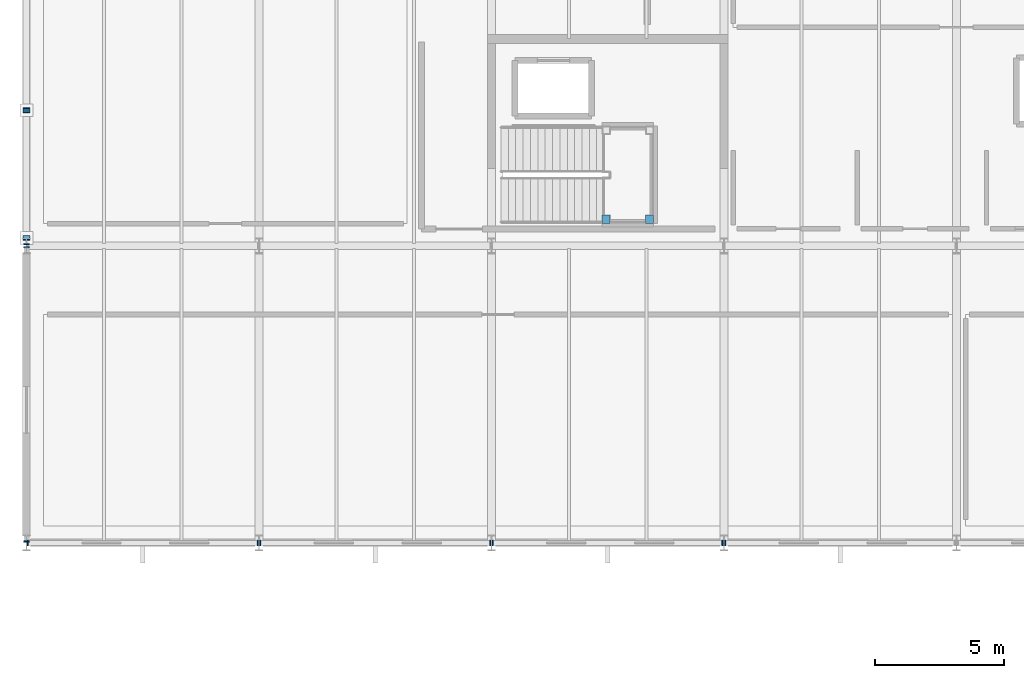
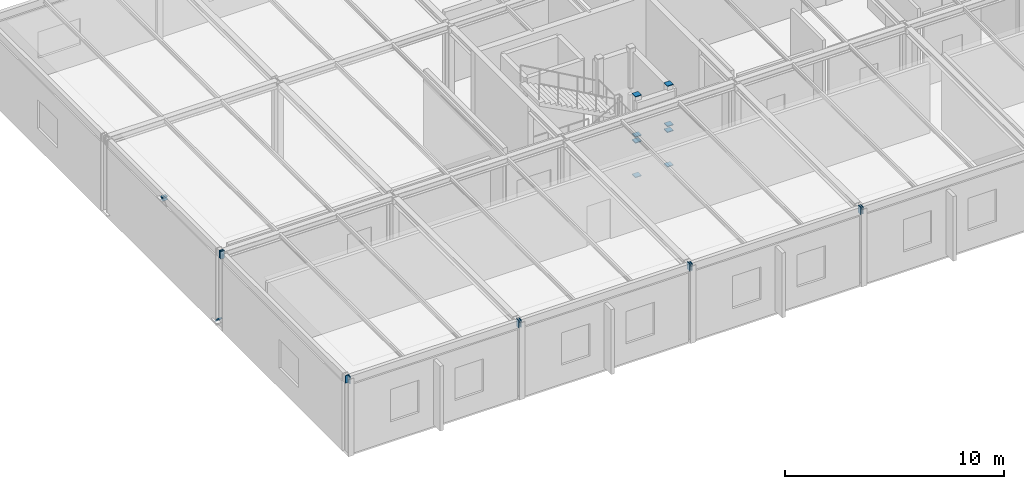
# One storey, part 71 of 105: 21 discrete accessories.
"""IFC4 building model written with IfcOpenShell, lengths in metres."""

from ifc_helpers import new_model, si_unit, direction, frame, origin, origin_2d, place, context, subcontext, project, spatial, rectangle, extrude, material, element, save


model = new_model("IFC4")

# Units and contexts
model_context = context("Model", 3, precision=1e-05, world=origin(), true_north=direction((0.0, 1.0)))
body_context = subcontext(model_context, "Body", "Model", "MODEL_VIEW")
ifc_project = project(units=[si_unit("LENGTHUNIT", "METRE"), si_unit("AREAUNIT", "SQUARE_METRE"), si_unit("VOLUMEUNIT", "CUBIC_METRE"), si_unit("PLANEANGLEUNIT", "RADIAN"), si_unit("MASSUNIT", "GRAM", prefix="KILO")], contexts=[model_context])

# Site, building, storey
site_placement = place(None, origin())
site = spatial("IfcSite", under=ifc_project, at=site_placement, CompositionType="ELEMENT")
building_placement = place(site_placement, origin())
building = spatial("IfcBuilding", under=site, at=building_placement, Name="Marlcrest Central Station", CompositionType="ELEMENT")
storey_placement = place(building_placement, frame((0.0, 0.0, 15.0)))
storey = spatial("IfcBuildingStorey", under=building, at=storey_placement, Name="L03", CompositionType="ELEMENT", Elevation=15.0)

# Discrete accessories
ifc_material = material(Name="Steel S355", Category="steel")
for number, where, z_axis, x_axis, name in (
    (1, (0.03515625, 99.0, 4.0849609375), (1.0, 0.0, 0.0), (0.0, 1.0, 0.0), "endcap-bm-SP-01-L03-00468-s"),
    (2, (8.925048828125, 99.0, 4.0849609375), (1.0, 0.0, 0.0), (0.0, 1.0, 0.0), "endcap-bm-SP-01-L03-00468-e"),
    (3, (9.03515625, 99.0, 4.0849609375), (1.0, 0.0, 0.0), (0.0, 1.0, 0.0), "endcap-bm-SP-01-L03-00469-s"),
    (4, (17.925048828125, 99.0, 4.0849609375), (1.0, 0.0, 0.0), (0.0, 1.0, 0.0), "endcap-bm-SP-01-L03-00469-e"),
    (5, (18.03515625, 99.0, 4.0849609375), (1.0, 0.0, 0.0), (0.0, 1.0, 0.0), "endcap-bm-SP-01-L03-00470-s"),
    (6, (26.925048828125, 99.0, 4.0849609375), (1.0, 0.0, 0.0), (0.0, 1.0, 0.0), "endcap-bm-SP-01-L03-00470-e"),
    (7, (27.03515625, 99.0, 4.0849609375), (1.0, 0.0, 0.0), (0.0, 1.0, 0.0), "endcap-bm-SP-01-L03-00471-s"),
    (8, (0.0, 99.03515625, 4.0849609375), (0.0, 1.0, 0.0), (-1.0, 0.0, 0.0), "endcap-bm-SP-01-L03-00500-s"),
    (9, (0.0, 110.425048828125, 4.0849609375), (0.0, 1.0, 0.0), (-1.0, 0.0, 0.0), "endcap-bm-SP-01-L03-00500-e"),
    (10, (0.0, 110.53515625, 4.0849609375), (0.0, 1.0, 0.0), (-1.0, 0.0, 0.0), "endcap-bm-SP-01-L03-00501-s"),
):
    element("IfcDiscreteAccessory", number, at=place(storey_placement, frame(where, z_axis=z_axis, x_axis=x_axis)), inside=storey, material=ifc_material, Name=name, ObjectType="END_CAP_PLATE", PredefinedType="BRACKET", context=body_context, shape_type="SweptSolid", body=[
        extrude(rectangle(XDim=0.216064453125, YDim=0.416015625, at=origin_2d()), origin(), (0.0, 0.0, 1.0), 0.0400390625),
    ])
for number, where, z_axis, x_axis, name in (
    (11, (0.0, 110.7880859375, 0.240966796875), (0.0, 0.794384522853, 0.607415203837), (-1.0, 0.0, 0.0), "endcap-mem-BF-02-L03-00007-s"),
    (12, (0.0, 115.730224609375, 4.019775390625), (0.0, 0.794384522853, 0.607415203837), (-1.0, 0.0, 0.0), "endcap-mem-BF-02-L03-00007-e"),
    (13, (0.0, 115.769775390625, 4.019775390625), (0.0, -0.794384522853, 0.607415203837), (1.0, 0.0, 0.0), "endcap-mem-BF-02-L03-00008-e"),
):
    element("IfcDiscreteAccessory", number, at=place(storey_placement, frame(where, z_axis=z_axis, x_axis=x_axis)), inside=storey, material=ifc_material, Name=name, ObjectType="END_CAP_PLATE", PredefinedType="BRACKET", context=body_context, shape_type="SweptSolid", body=[
        extrude(rectangle(XDim=0.26611328125, YDim=0.26611328125, at=origin_2d()), origin(), (0.0, 0.0, 1.0), 0.0400390625),
    ])
for number, where, z_axis, x_axis, name in (
    (14, (22.43994140625, 111.530029296875, -0.014892578125), (0.0, 0.0, 1.0), (1.0, 0.0, 0.0), "endcap-htcol-lo-0050-0-s"),
    (15, (22.43994140625, 111.530029296875, 1.905029296875), (0.0, 0.0, 1.0), (1.0, 0.0, 0.0), "endcap-htcol-lo-0050-0-e"),
    (16, (22.43994140625, 111.530029296875, 2.235107421875), (0.0, 0.0, 1.0), (1.0, 0.0, 0.0), "endcap-htcol-hi-0050-0-s"),
    (17, (22.43994140625, 111.530029296875, 4.47509765625), (0.0, 0.0, 1.0), (1.0, 0.0, 0.0), "endcap-htcol-hi-0050-0-e"),
    (18, (24.1201171875, 111.530029296875, -0.014892578125), (0.0, 0.0, 1.0), (1.0, 0.0, 0.0), "endcap-htcol-lo-0050-1-s"),
    (19, (24.1201171875, 111.530029296875, 1.905029296875), (0.0, 0.0, 1.0), (1.0, 0.0, 0.0), "endcap-htcol-lo-0050-1-e"),
    (20, (24.1201171875, 111.530029296875, 2.235107421875), (0.0, 0.0, 1.0), (1.0, 0.0, 0.0), "endcap-htcol-hi-0050-1-s"),
    (21, (24.1201171875, 111.530029296875, 4.47509765625), (0.0, 0.0, 1.0), (1.0, 0.0, 0.0), "endcap-htcol-hi-0050-1-e"),
):
    element("IfcDiscreteAccessory", number, at=place(storey_placement, frame(where, z_axis=z_axis, x_axis=x_axis)), inside=storey, material=ifc_material, Name=name, ObjectType="END_CAP_PLATE", PredefinedType="BRACKET", context=body_context, shape_type="SweptSolid", body=[
        extrude(rectangle(XDim=0.31591796875, YDim=0.31591796875, at=origin_2d()), origin(), (0.0, 0.0, 1.0), 0.0400390625),
    ])

save(model, "model.ifc")
